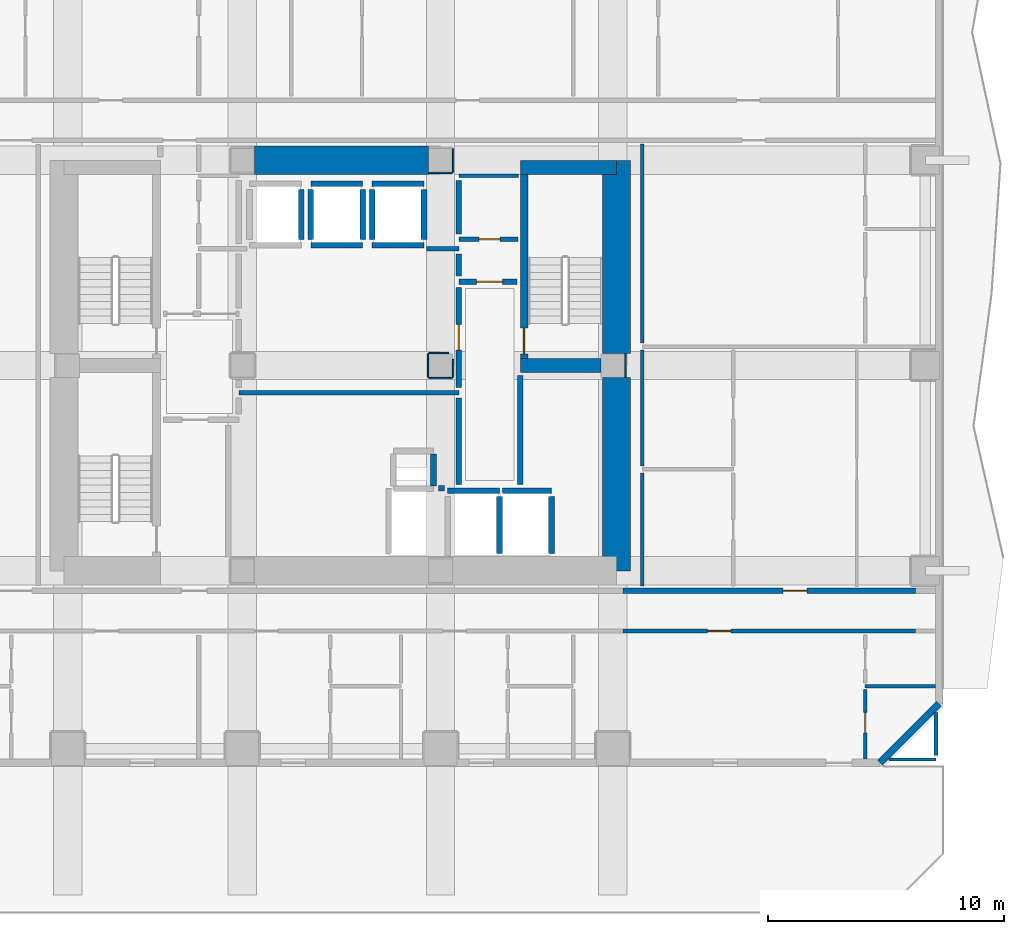
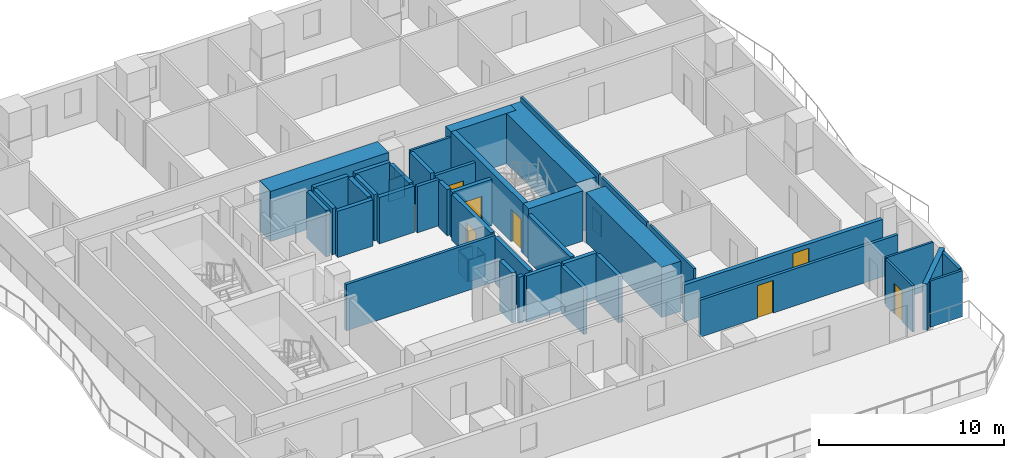
# One storey, part 4 of 11: 48 walls, 7 doors, 7 openings.
"""IFC4 building model written with IfcOpenShell, lengths in metres."""

from ifc_helpers import new_model, si_unit, direction, frame, frame_2d, origin, place, context, subcontext, project, spatial, rectangle, extrude, material, layer, layer_set, type_object, element, fill, save


model = new_model("IFC4")

# Units and contexts
model_context = context("Model", 3, precision=1e-05, world=origin(), true_north=direction((0.0, 1.0)))
body_context = subcontext(model_context, "Body", "Model", "MODEL_VIEW")
ifc_project = project(units=[si_unit("LENGTHUNIT", "METRE"), si_unit("AREAUNIT", "SQUARE_METRE"), si_unit("VOLUMEUNIT", "CUBIC_METRE"), si_unit("PLANEANGLEUNIT", "RADIAN"), si_unit("MASSUNIT", "GRAM", prefix="KILO")], contexts=[model_context])

# Site, building, storey
site_placement = place(None, origin())
site = spatial("IfcSite", under=ifc_project, at=site_placement, CompositionType="ELEMENT")
building_placement = place(site_placement, origin())
building = spatial("IfcBuilding", under=site, at=building_placement, Name="Solanera Arch Residences", CompositionType="ELEMENT")
storey_placement = place(building_placement, frame((0.0, 0.0, 61.840087890625)))
storey = spatial("IfcBuildingStorey", under=building, at=storey_placement, Name="L17", CompositionType="ELEMENT", Elevation=61.840087890625)

# Walls
ifc_material_1 = material(Name="Fire-Rated Gypsum Stud Partition", Category="gypsum")
ifc_layer_1 = layer(ifc_material_1, 0.06005859375)
ifc_layer_set_1 = layer_set([ifc_layer_1], Name="Fire-Rated Gypsum Stud Partition")
wall_type_1 = type_object("IfcWallType", Name="Column Acoustic Furring Wall 60", PredefinedType="PARTITIONING", material=ifc_layer_set_1)
wall_1_placement = place(storey_placement, frame((28.7099609375, 38.867919921875, 0.0), z_axis=(0.0, 0.0, 1.0), x_axis=(1.0, 0.0, 0.0)))
element("IfcWall", 1, at=wall_1_placement, inside=storey, type_object=wall_type_1, Name="L17 Column Furring 4S", PredefinedType="PARTITIONING", context=body_context, shape_type="SweptSolid", body=[
    extrude(rectangle(XDim=0.989990234375, YDim=0.06005859375, at=frame_2d((0.4951171875, 0.0))), origin(), (0.0, 0.0, 1.0), 1.449951171875),
])
wall_2_placement = place(storey_placement, frame((29.73193359375, 38.89990234375, 0.0), z_axis=(0.0, 0.0, 1.0), x_axis=(0.0, 1.0, 0.0)))
element("IfcWall", 2, at=wall_2_placement, inside=storey, type_object=wall_type_1, Name="L17 Column Furring 4E", PredefinedType="PARTITIONING", context=body_context, shape_type="SweptSolid", body=[
    extrude(rectangle(XDim=1.0, YDim=0.06005859375, at=frame_2d((0.5, 0.0))), origin(), (0.0, 0.0, 1.0), 1.449951171875),
])
wall_3_placement = place(storey_placement, frame((37.031982421875, 30.2099609375, 0.0), z_axis=(0.0, 0.0, 1.0), x_axis=(0.0, 1.0, 0.0)))
element("IfcWall", 3, at=wall_3_placement, inside=storey, type_object=wall_type_1, Name="L17 Column Furring 6E", PredefinedType="PARTITIONING", context=body_context, shape_type="SweptSolid", body=[
    extrude(rectangle(XDim=0.97998046875, YDim=0.06005859375, at=frame_2d((0.489990234375, 0.0))), origin(), (0.0, 0.0, 1.0), 1.449951171875),
])
wall_4_placement = place(storey_placement, frame((28.699951171875, 30.16796875, 0.0), z_axis=(0.0, 0.0, 1.0), x_axis=(1.0, 0.0, 0.0)))
element("IfcWall", 4, at=wall_4_placement, inside=storey, type_object=wall_type_1, Name="L17 Column Furring 8S", PredefinedType="PARTITIONING", context=body_context, shape_type="SweptSolid", body=[
    extrude(rectangle(XDim=1.0, YDim=0.06005859375, at=frame_2d((0.5, 0.0))), origin(), (0.0, 0.0, 1.0), 1.449951171875),
])
wall_5_placement = place(storey_placement, frame((28.699951171875, 31.23193359375, 0.0), z_axis=(0.0, 0.0, 1.0), x_axis=(1.0, 0.0, 0.0)))
element("IfcWall", 5, at=wall_5_placement, inside=storey, type_object=wall_type_1, Name="L17 Column Furring 8N", PredefinedType="PARTITIONING", context=body_context, shape_type="SweptSolid", body=[
    extrude(rectangle(XDim=0.841064453125, YDim=0.06005859375, at=frame_2d((0.42041015625, 0.0))), origin(), (0.0, 0.0, 1.0), 1.449951171875),
])
wall_6_placement = place(storey_placement, frame((28.66796875, 30.199951171875, 0.0), z_axis=(0.0, 0.0, 1.0), x_axis=(0.0, 1.0, 0.0)))
element("IfcWall", 6, at=wall_6_placement, inside=storey, type_object=wall_type_1, Name="L17 Column Furring 8W", PredefinedType="PARTITIONING", context=body_context, shape_type="SweptSolid", body=[
    extrude(rectangle(XDim=1.0, YDim=0.06005859375, at=frame_2d((0.5, 0.0))), origin(), (0.0, 0.0, 1.0), 1.449951171875),
])
wall_7_placement = place(storey_placement, frame((29.73193359375, 30.199951171875, 0.0), z_axis=(0.0, 0.0, 1.0), x_axis=(0.0, 1.0, 0.0)))
element("IfcWall", 7, at=wall_7_placement, inside=storey, type_object=wall_type_1, Name="L17 Column Furring 8E", PredefinedType="PARTITIONING", context=body_context, shape_type="SweptSolid", body=[
    extrude(rectangle(XDim=0.77197265625, YDim=0.06005859375, at=frame_2d((0.385986328125, 0.0))), origin(), (0.0, 0.0, 1.0), 1.449951171875),
])
ifc_material_2 = material(Name="Concrete C55/67 (f'c = 60 MPa)", Category="concrete")
ifc_layer_2 = layer(ifc_material_2, 1.199951171875)
ifc_layer_set_2 = layer_set([ifc_layer_2], Name="Concrete C55/67 (f'c = 60 MPa)")
wall_type_2 = type_object("IfcWallType", Name="Core Shear Wall CW-1200", PredefinedType="SHEAR", material=ifc_layer_set_2)
wall_8_placement = place(storey_placement, frame((36.659912109375, 22.0, 0.0), z_axis=(0.0, 0.0, 1.0), x_axis=(0.0, 1.0, 0.0)))
element("IfcWall", 8, at=wall_8_placement, inside=storey, type_object=wall_type_2, Name="L17 East Core South Shear Wall", PredefinedType="SHEAR", context=body_context, shape_type="SweptSolid", body=[
    extrude(rectangle(XDim=8.195068359375, YDim=1.199951171875, at=frame_2d((4.09765625, 0.0))), origin(), (0.0, 0.0, 1.0), 3.31982421875),
])
wall_9_placement = place(storey_placement, frame((36.659912109375, 31.205078125, 0.0), z_axis=(0.0, 0.0, 1.0), x_axis=(0.0, 1.0, 0.0)))
element("IfcWall", 9, at=wall_9_placement, inside=storey, type_object=wall_type_2, Name="L17 East Core North Shear Wall", PredefinedType="SHEAR", context=body_context, shape_type="SweptSolid", body=[
    extrude(rectangle(XDim=8.19482421875, YDim=1.199951171875, at=frame_2d((4.097412109375, 0.0))), origin(), (0.0, 0.0, 1.0), 3.31982421875),
])
wall_10_placement = place(storey_placement, frame((21.304931640625, 39.39990234375, 0.0), z_axis=(0.0, 0.0, 1.0), x_axis=(1.0, 0.0, 0.0)))
element("IfcWall", 10, at=wall_10_placement, inside=storey, type_object=wall_type_2, Name="L17 Central North Core Shear Wall", PredefinedType="SHEAR", context=body_context, shape_type="SweptSolid", body=[
    extrude(rectangle(XDim=7.39013671875, YDim=1.199951171875, at=frame_2d((3.695068359375, 0.0))), origin(), (0.0, 0.0, 1.0), 3.31982421875),
])

# Wall, opening, door
ifc_material_3 = material(Name="Concrete C40/50 (f'c = 45 MPa)", Category="concrete")
ifc_layer_3 = layer(ifc_material_3, 0.320068359375)
ifc_layer_set_3 = layer_set([ifc_layer_3], Name="Concrete C40/50 (f'c = 45 MPa)")
wall_type_3 = type_object("IfcWallType", Name="Core Shear Wall CW-320", PredefinedType="SHEAR", material=ifc_layer_set_3)
wall_11_placement = place(storey_placement, frame((32.739990234375, 31.0, 0.0), z_axis=(0.0, 0.0, 1.0), x_axis=(0.0, 1.0, 0.0)))
wall_11 = element("IfcWall", 11, at=wall_11_placement, inside=storey, type_object=wall_type_3, Name="L17 Stair ST-T2 West Shear Wall", PredefinedType="SHEAR", context=body_context, shape_type="SweptSolid", body=[
    extrude(rectangle(XDim=7.800048828125, YDim=0.320068359375, at=frame_2d((3.89990234375, 0.0))), origin(), (0.0, 0.0, 1.0), 3.31982421875),
])
opening_1_placement = place(wall_11_placement, frame((0.18994140625, 0.0, 0.0)))
opening_1 = element("IfcOpeningElement", 12, at=opening_1_placement, cuts=wall_11, Name="Opening DF-01", PredefinedType="OPENING", context=body_context, shape_type="SweptSolid", body=[
    extrude(rectangle(XDim=1.10009765625, YDim=2.14990234375, at=frame_2d((0.550048828125, 1.074951171875))), frame((0.0, 0.169921875, 0.0), z_axis=(0.0, -1.0, 0.0), x_axis=(1.0, 0.0, 0.0)), (0.0, 0.0, 1.0), 0.3401),
])
ifc_material_4 = material(Name="Fire-Rated Architectural Hardwood", Category="wood")
door_type_1 = type_object("IfcDoorType", Name="Stair Exit Fire Door DF-01", OperationType="NOTDEFINED", PredefinedType="DOOR", material=ifc_material_4)
door_1_placement = place(opening_1_placement, origin())
door_1 = element("IfcDoor", 13, at=door_1_placement, inside=storey, type_object=door_type_1, Name="DR-L17-STAIR-ST-T2", OperationType="SINGLE_SWING_RIGHT", OverallHeight=2.14990234375, OverallWidth=1.10009765625, PredefinedType="DOOR", context=body_context, shape_type="SweptSolid", body=[
    extrude(rectangle(XDim=1.10009765625, YDim=2.14990234375, at=frame_2d((0.550048828125, 1.074951171875))), frame((0.0, 0.02490234375, 0.0), z_axis=(0.0, -1.0, 0.0), x_axis=(1.0, 0.0, 0.0)), (0.0, 0.0, 1.0), 0.050048828125),
])
fill(opening_1, door_1)

# Walls
ifc_material_5 = material(Name="Concrete C40/50 (f'c = 45 MPa)", Category="concrete")
ifc_layer_4 = layer(ifc_material_5, 0.60009765625)
ifc_layer_set_4 = layer_set([ifc_layer_4], Name="Concrete C40/50 (f'c = 45 MPa)")
wall_type_4 = type_object("IfcWallType", Name="Core Shear Wall CW-600", PredefinedType="SHEAR", material=ifc_layer_set_4)
wall_12_placement = place(storey_placement, frame((32.580078125, 39.10009765625, 0.0), z_axis=(0.0, 0.0, 1.0), x_axis=(1.0, 0.0, 0.0)))
element("IfcWall", 14, at=wall_12_placement, inside=storey, type_object=wall_type_4, Name="L17 North-East Core Shear Wall", PredefinedType="SHEAR", context=body_context, shape_type="SweptSolid", body=[
    extrude(rectangle(XDim=4.079833984375, YDim=0.60009765625, at=frame_2d((2.0400390625, 0.0))), origin(), (0.0, 0.0, 1.0), 3.31982421875),
])
wall_13_placement = place(storey_placement, frame((32.580078125, 30.699951171875, 0.0), z_axis=(0.0, 0.0, 1.0), x_axis=(1.0, 0.0, 0.0)))
element("IfcWall", 15, at=wall_13_placement, inside=storey, type_object=wall_type_4, Name="L17 East Stair Far-Landing Shear Wall", PredefinedType="SHEAR", context=body_context, shape_type="SweptSolid", body=[
    extrude(rectangle(XDim=3.4150390625, YDim=0.60009765625, at=frame_2d((1.70751953125, 0.0))), origin(), (0.0, 0.0, 1.0), 3.31982421875),
])

# Wall, opening, door
ifc_material_6 = material(Name="Autoclaved Aerated Concrete Blockwork", Category="masonry")
ifc_layer_5 = layer(ifc_material_6, 0.179931640625)
ifc_layer_set_5 = layer_set([ifc_layer_5], Name="Autoclaved Aerated Concrete Blockwork")
wall_type_5 = type_object("IfcWallType", Name="Corridor Fire Partition 180", PredefinedType="PARTITIONING", material=ifc_layer_set_5)
wall_14_placement = place(storey_placement, frame((36.928955078125, 19.449951171875, 0.0), z_axis=(0.0, 0.0, 1.0), x_axis=(1.0, 0.0, 0.0)))
wall_14 = element("IfcWall", 16, at=wall_14_placement, inside=storey, type_object=wall_type_5, Name="L17 Interior Partition H7 2", PredefinedType="PARTITIONING", context=body_context, shape_type="SweptSolid", body=[
    extrude(rectangle(XDim=12.39208984375, YDim=0.179931640625, at=frame_2d((6.196044921875, 0.0))), origin(), (0.0, 0.0, 1.0), 2.44482421875),
])
opening_2_placement = place(wall_14_placement, frame((3.5810546875, 0.0, 0.0)))
opening_2 = element("IfcOpeningElement", 17, at=opening_2_placement, cuts=wall_14, Name="Opening DI-01", PredefinedType="OPENING", context=body_context, shape_type="SweptSolid", body=[
    extrude(rectangle(XDim=1.0, YDim=2.14990234375, at=frame_2d((0.5, 1.074951171875))), frame((0.0, 0.10009765625, 0.0), z_axis=(0.0, -1.0, 0.0), x_axis=(1.0, 0.0, 0.0)), (0.0, 0.0, 1.0), 0.1999),
])
ifc_material_7 = material(Name="Fire-Rated Architectural Hardwood", Category="wood")
door_type_2 = type_object("IfcDoorType", Name="Unit Entrance Fire Door DI-01", OperationType="NOTDEFINED", PredefinedType="DOOR", material=ifc_material_7)
door_2_placement = place(opening_2_placement, origin())
door_2 = element("IfcDoor", 18, at=door_2_placement, inside=storey, type_object=door_type_2, Name="DR-L17-IN-024", OperationType="SINGLE_SWING_RIGHT", OverallHeight=2.14990234375, OverallWidth=1.0, PredefinedType="DOOR", context=body_context, shape_type="SweptSolid", body=[
    extrude(rectangle(XDim=1.0, YDim=2.14990234375, at=frame_2d((0.5, 1.074951171875))), frame((0.0, 0.02490234375, 0.0), z_axis=(0.0, -1.0, 0.0), x_axis=(1.0, 0.0, 0.0)), (0.0, 0.0, 1.0), 0.050048828125),
])
fill(opening_2, door_2)

# Wall
wall_15_placement = place(storey_placement, frame((20.64990234375, 29.550048828125, 0.0), z_axis=(0.0, 0.0, 1.0), x_axis=(1.0, 0.0, 0.0)))
element("IfcWall", 19, at=wall_15_placement, inside=storey, type_object=wall_type_5, Name="L17 Interior Partition H8", PredefinedType="PARTITIONING", context=body_context, shape_type="SweptSolid", body=[
    extrude(rectangle(XDim=9.3251953125, YDim=0.179931640625, at=frame_2d((4.66259765625, 0.0))), origin(), (0.0, 0.0, 1.0), 3.059814453125),
])

# Wall, opening, door
wall_16_placement = place(storey_placement, frame((29.97509765625, 36.050048828125, 0.0), z_axis=(0.0, 0.0, 1.0), x_axis=(1.0, 0.0, 0.0)))
wall_16 = element("IfcWall", 20, at=wall_16_placement, inside=storey, type_object=wall_type_5, Name="L17 Interior Partition H9", PredefinedType="PARTITIONING", context=body_context, shape_type="SweptSolid", body=[
    extrude(rectangle(XDim=2.5048828125, YDim=0.179931640625, at=frame_2d((1.25244140625, 0.0))), origin(), (0.0, 0.0, 1.0), 3.059814453125),
])
opening_3_placement = place(wall_16_placement, frame((0.85205078125, 0.0, 0.0)))
opening_3 = element("IfcOpeningElement", 21, at=opening_3_placement, cuts=wall_16, Name="Opening DI-02", PredefinedType="OPENING", context=body_context, shape_type="SweptSolid", body=[
    extrude(rectangle(XDim=0.89990234375, YDim=2.10009765625, at=frame_2d((0.449951171875, 1.050048828125))), frame((0.0, 0.10009765625, 0.0), z_axis=(0.0, -1.0, 0.0), x_axis=(1.0, 0.0, 0.0)), (0.0, 0.0, 1.0), 0.1999),
])
ifc_material_8 = material(Name="Fire-Rated Architectural Hardwood", Category="wood")
door_type_3 = type_object("IfcDoorType", Name="Suite Room Swing Door DI-02", OperationType="NOTDEFINED", PredefinedType="DOOR", material=ifc_material_8)
door_3_placement = place(opening_3_placement, origin())
door_3 = element("IfcDoor", 22, at=door_3_placement, inside=storey, type_object=door_type_3, Name="DR-L17-IN-013", OperationType="SINGLE_SWING_LEFT", OverallHeight=2.10009765625, OverallWidth=0.89990234375, PredefinedType="DOOR", context=body_context, shape_type="SweptSolid", body=[
    extrude(rectangle(XDim=0.89990234375, YDim=2.10009765625, at=frame_2d((0.449951171875, 1.050048828125))), frame((0.0, 0.02490234375, 0.0), z_axis=(0.0, -1.0, 0.0), x_axis=(1.0, 0.0, 0.0)), (0.0, 0.0, 1.0), 0.050048828125),
])
fill(opening_3, door_3)

# Walls
wall_17_placement = place(storey_placement, frame((50.199951171875, 14.16796875, 0.0), z_axis=(0.0, 0.0, 1.0), x_axis=(0.0, 1.0, 0.0)))
element("IfcWall", 23, at=wall_17_placement, inside=storey, type_object=wall_type_5, Name="L17 Interior Partition V11 1", PredefinedType="PARTITIONING", context=body_context, shape_type="SweptSolid", body=[
    extrude(rectangle(XDim=1.8330078125, YDim=0.179931640625, at=frame_2d((0.91650390625, 0.0))), origin(), (0.0, 0.0, 1.0), 3.059814453125),
])
ifc_material_9 = material(Name="Precast Concrete C35/45", Category="concrete")
ifc_layer_6 = layer(ifc_material_9, 0.300048828125)
ifc_layer_set_6 = layer_set([ifc_layer_6], Name="Precast Concrete C35/45")
wall_type_6 = type_object("IfcWallType", Name="Exterior Wall Precast Masonry-Frame 300", PredefinedType="STANDARD", material=ifc_layer_set_6)
wall_18_placement = place(storey_placement, frame((50.3349609375, 16.364990234375, 0.0), z_axis=(0.0, 0.0, 1.0), x_axis=(-0.707106781187, -0.707106781187, 0.0)))
element("IfcWall", 24, at=wall_18_placement, inside=storey, type_object=wall_type_6, Name="L17 Tower Exterior Precast Masonry-Frame Wall CH5", PredefinedType="STANDARD", context=body_context, shape_type="SweptSolid", body=[
    extrude(rectangle(XDim=3.53564453125, YDim=0.300048828125, at=frame_2d((1.767822265625, 0.0))), origin(), (0.0, 0.0, 1.0), 3.059814453125),
])
ifc_material_10 = material(Name="Autoclaved Aerated Concrete Blockwork", Category="masonry")
ifc_layer_7 = layer(ifc_material_10, 0.199951171875)
ifc_layer_set_7 = layer_set([ifc_layer_7], Name="Autoclaved Aerated Concrete Blockwork")
wall_type_7 = type_object("IfcWallType", Name="Party Wall Acoustic 200", PredefinedType="PARTITIONING", material=ifc_layer_set_7)
wall_19_placement = place(storey_placement, frame((28.60400390625, 35.64990234375, 0.0), z_axis=(0.0, 0.0, 1.0), x_axis=(1.0, 0.0, 0.0)))
element("IfcWall", 25, at=wall_19_placement, inside=storey, type_object=wall_type_7, Name="L17 Interior Partition H6 2", PredefinedType="PARTITIONING", context=body_context, shape_type="SweptSolid", body=[
    extrude(rectangle(XDim=1.37109375, YDim=0.199951171875, at=frame_2d((0.685546875, 0.0))), origin(), (0.0, 0.0, 1.0), 3.059814453125),
])
ifc_material_11 = material(Name="Concrete C40/50 (f'c = 45 MPa)", Category="concrete")
ifc_layer_8 = layer(ifc_material_11, 0.239990234375)
ifc_layer_set_8 = layer_set([ifc_layer_8], Name="Concrete C40/50 (f'c = 45 MPa)")
wall_type_8 = type_object("IfcWallType", Name="Ramp Bearing Shear Wall RW-240", PredefinedType="SHEAR", material=ifc_layer_set_8)
wall_20_placement = place(storey_placement, frame((28.89990234375, 25.60009765625, 0.0), z_axis=(0.0, 0.0, 1.0), x_axis=(0.0, 1.0, 0.0)))
element("IfcWall", 26, at=wall_20_placement, inside=storey, type_object=wall_type_8, Name="L17 Core MEP Riser East Shaft Wall", PredefinedType="SHEAR", context=body_context, shape_type="SweptSolid", body=[
    extrude(rectangle(XDim=1.35986328125, YDim=0.239990234375, at=frame_2d((0.679931640625, 0.0))), origin(), (0.0, 0.0, 1.0), 3.31982421875),
])
ifc_material_12 = material(Name="Autoclaved Aerated Concrete Blockwork", Category="masonry")
ifc_layer_9 = layer(ifc_material_12, 0.239990234375)
ifc_layer_set_9 = layer_set([ifc_layer_9], Name="Autoclaved Aerated Concrete Blockwork")
wall_type_9 = type_object("IfcWallType", Name="Shaft Wall Fire-Rated 240", PredefinedType="PARTITIONING", material=ifc_layer_set_9)
wall_21_placement = place(storey_placement, frame((23.300048828125, 36.048095703125, 0.0), z_axis=(0.0, 0.0, 1.0), x_axis=(0.0, 1.0, 0.0)))
element("IfcWall", 27, at=wall_21_placement, inside=storey, type_object=wall_type_9, Name="L17 Lift PL-L1 Hoistway Wall E", PredefinedType="PARTITIONING", context=body_context, shape_type="SweptSolid", body=[
    extrude(rectangle(XDim=2.10400390625, YDim=0.239990234375, at=frame_2d((1.052001953125, 0.0))), origin(), (0.0, 0.0, 1.0), 3.059814453125),
])
for number, where, z_axis, x_axis, name in (
    (28, (23.699951171875, 35.800048828125, 0.0), (0.0, 0.0, 1.0), (1.0, 0.0, 0.0), "L17 Lift PL-L2 Hoistway Wall S"),
    (29, (23.699951171875, 38.39990234375, 0.0), (0.0, 0.0, 1.0), (1.0, 0.0, 0.0), "L17 Lift PL-L2 Hoistway Wall N"),
):
    element("IfcWall", number, at=place(storey_placement, frame(where, z_axis=z_axis, x_axis=x_axis)), inside=storey, type_object=wall_type_9, Name=name, PredefinedType="PARTITIONING", context=body_context, shape_type="SweptSolid", body=[
        extrude(rectangle(XDim=2.199951171875, YDim=0.239990234375, at=frame_2d((1.10009765625, 0.0))), origin(), (0.0, 0.0, 1.0), 3.059814453125),
    ])
for number, where, z_axis, x_axis, name in (
    (30, (23.699951171875, 36.048095703125, 0.0), (0.0, 0.0, 1.0), (0.0, 1.0, 0.0), "L17 Lift PL-L2 Hoistway Wall W"),
    (31, (25.89990234375, 36.048095703125, 0.0), (0.0, 0.0, 1.0), (0.0, 1.0, 0.0), "L17 Lift PL-L2 Hoistway Wall E"),
):
    element("IfcWall", number, at=place(storey_placement, frame(where, z_axis=z_axis, x_axis=x_axis)), inside=storey, type_object=wall_type_9, Name=name, PredefinedType="PARTITIONING", context=body_context, shape_type="SweptSolid", body=[
        extrude(rectangle(XDim=2.10400390625, YDim=0.239990234375, at=frame_2d((1.052001953125, 0.0))), origin(), (0.0, 0.0, 1.0), 3.059814453125),
    ])
for number, where, z_axis, x_axis, name in (
    (32, (26.300048828125, 35.800048828125, 0.0), (0.0, 0.0, 1.0), (1.0, 0.0, 0.0), "L17 Lift PL-L3 Hoistway Wall S"),
    (33, (26.300048828125, 38.39990234375, 0.0), (0.0, 0.0, 1.0), (1.0, 0.0, 0.0), "L17 Lift PL-L3 Hoistway Wall N"),
):
    element("IfcWall", number, at=place(storey_placement, frame(where, z_axis=z_axis, x_axis=x_axis)), inside=storey, type_object=wall_type_9, Name=name, PredefinedType="PARTITIONING", context=body_context, shape_type="SweptSolid", body=[
        extrude(rectangle(XDim=2.199951171875, YDim=0.239990234375, at=frame_2d((1.10009765625, 0.0))), origin(), (0.0, 0.0, 1.0), 3.059814453125),
    ])
for number, where, z_axis, x_axis, name in (
    (34, (26.300048828125, 36.048095703125, 0.0), (0.0, 0.0, 1.0), (0.0, 1.0, 0.0), "L17 Lift PL-L3 Hoistway Wall W"),
    (35, (28.5, 36.048095703125, 0.0), (0.0, 0.0, 1.0), (0.0, 1.0, 0.0), "L17 Lift PL-L3 Hoistway Wall E"),
):
    element("IfcWall", number, at=place(storey_placement, frame(where, z_axis=z_axis, x_axis=x_axis)), inside=storey, type_object=wall_type_9, Name=name, PredefinedType="PARTITIONING", context=body_context, shape_type="SweptSolid", body=[
        extrude(rectangle(XDim=2.10400390625, YDim=0.239990234375, at=frame_2d((1.052001953125, 0.0))), origin(), (0.0, 0.0, 1.0), 3.059814453125),
    ])
wall_22_placement = place(storey_placement, frame((29.5, 25.39990234375, 0.0), z_axis=(0.0, 0.0, 1.0), x_axis=(1.0, 0.0, 0.0)))
element("IfcWall", 36, at=wall_22_placement, inside=storey, type_object=wall_type_9, Name="L17 Lift FFL-1 Hoistway Wall N", PredefinedType="PARTITIONING", context=body_context, shape_type="SweptSolid", body=[
    extrude(rectangle(XDim=2.199951171875, YDim=0.239990234375, at=frame_2d((1.10009765625, 0.0))), origin(), (0.0, 0.0, 1.0), 3.059814453125),
])
wall_23_placement = place(storey_placement, frame((31.699951171875, 22.72998046875, 0.0), z_axis=(0.0, 0.0, 1.0), x_axis=(0.0, 1.0, 0.0)))
element("IfcWall", 37, at=wall_23_placement, inside=storey, type_object=wall_type_9, Name="L17 Lift FFL-1 Hoistway Wall E", PredefinedType="PARTITIONING", context=body_context, shape_type="SweptSolid", body=[
    extrude(rectangle(XDim=2.422119140625, YDim=0.239990234375, at=frame_2d((1.2109375, 0.0))), origin(), (0.0, 0.0, 1.0), 3.059814453125),
])
wall_24_placement = place(storey_placement, frame((31.827880859375, 25.39990234375, 0.0), z_axis=(0.0, 0.0, 1.0), x_axis=(1.0, 0.0, 0.0)))
element("IfcWall", 38, at=wall_24_placement, inside=storey, type_object=wall_type_9, Name="L17 Lift FFL-2 Hoistway Wall N", PredefinedType="PARTITIONING", context=body_context, shape_type="SweptSolid", body=[
    extrude(rectangle(XDim=2.072021484375, YDim=0.239990234375, at=frame_2d((1.0361328125, 0.0))), origin(), (0.0, 0.0, 1.0), 3.059814453125),
])
wall_25_placement = place(storey_placement, frame((33.89990234375, 22.72998046875, 0.0), z_axis=(0.0, 0.0, 1.0), x_axis=(0.0, 1.0, 0.0)))
element("IfcWall", 39, at=wall_25_placement, inside=storey, type_object=wall_type_9, Name="L17 Lift FFL-2 Hoistway Wall E", PredefinedType="PARTITIONING", context=body_context, shape_type="SweptSolid", body=[
    extrude(rectangle(XDim=2.422119140625, YDim=0.239990234375, at=frame_2d((1.2109375, 0.0))), origin(), (0.0, 0.0, 1.0), 3.059814453125),
])
wall_26_placement = place(storey_placement, frame((29.10302734375, 25.5, 0.0), z_axis=(0.0, 0.0, 1.0), x_axis=(1.0, 0.0, 0.0)))
element("IfcWall", 40, at=wall_26_placement, inside=storey, type_object=wall_type_9, Name="L17 Lift SVL-1 Hoistway Wall N", PredefinedType="PARTITIONING", context=body_context, shape_type="SweptSolid", body=[
    extrude(rectangle(XDim=0.26904296875, YDim=0.239990234375, at=frame_2d((0.134521484375, 0.0))), origin(), (0.0, 0.0, 1.0), 3.059814453125),
])

# Wall, opening, door
wall_27_placement = place(storey_placement, frame((36.928955078125, 21.14990234375, 0.0), z_axis=(0.0, 0.0, 1.0), x_axis=(1.0, 0.0, 0.0)))
wall_27 = element("IfcWall", 41, at=wall_27_placement, inside=storey, type_object=wall_type_9, Name="L17 Interior Partition H1 2", PredefinedType="PARTITIONING", context=body_context, shape_type="SweptSolid", body=[
    extrude(rectangle(XDim=12.39208984375, YDim=0.239990234375, at=frame_2d((6.196044921875, 0.0))), origin(), (0.0, 0.0, 1.0), 2.44482421875),
])
opening_4_placement = place(wall_27_placement, frame((6.794921875, 0.0, 0.0)))
opening_4 = element("IfcOpeningElement", 42, at=opening_4_placement, cuts=wall_27, Name="Opening DI-01", PredefinedType="OPENING", context=body_context, shape_type="SweptSolid", body=[
    extrude(rectangle(XDim=1.0, YDim=2.14990234375, at=frame_2d((0.5, 1.074951171875))), frame((0.0, 0.1298828125, 0.0), z_axis=(0.0, -1.0, 0.0), x_axis=(1.0, 0.0, 0.0)), (0.0, 0.0, 1.0), 0.26),
])
door_4_placement = place(opening_4_placement, origin())
door_4 = element("IfcDoor", 43, at=door_4_placement, inside=storey, type_object=door_type_2, Name="DR-L17-IN-042", OperationType="SINGLE_SWING_RIGHT", OverallHeight=2.14990234375, OverallWidth=1.0, PredefinedType="DOOR", context=body_context, shape_type="SweptSolid", body=[
    extrude(rectangle(XDim=1.0, YDim=2.14990234375, at=frame_2d((0.5, 1.074951171875))), frame((0.0, 0.02490234375, 0.0), z_axis=(0.0, -1.0, 0.0), x_axis=(1.0, 0.0, 0.0)), (0.0, 0.0, 1.0), 0.050048828125),
])
fill(opening_4, door_4)

wall_28_placement = place(storey_placement, frame((29.97509765625, 34.25, 0.0), z_axis=(0.0, 0.0, 1.0), x_axis=(1.0, 0.0, 0.0)))
wall_28 = element("IfcWall", 44, at=wall_28_placement, inside=storey, type_object=wall_type_9, Name="L17 Interior Partition H5", PredefinedType="PARTITIONING", context=body_context, shape_type="SweptSolid", body=[
    extrude(rectangle(XDim=2.474853515625, YDim=0.239990234375, at=frame_2d((1.2373046875, 0.0))), origin(), (0.0, 0.0, 1.0), 3.059814453125),
])
opening_5_placement = place(wall_28_placement, frame((0.751953125, 0.0, 0.0)))
opening_5 = element("IfcOpeningElement", 45, at=opening_5_placement, cuts=wall_28, Name="Opening DF-02", PredefinedType="OPENING", context=body_context, shape_type="SweptSolid", body=[
    extrude(rectangle(XDim=1.10009765625, YDim=2.14990234375, at=frame_2d((0.550048828125, 1.074951171875))), frame((0.0, 0.1298828125, 0.0), z_axis=(0.0, -1.0, 0.0), x_axis=(1.0, 0.0, 0.0)), (0.0, 0.0, 1.0), 0.26),
])
ifc_material_13 = material(Name="Fire-Rated Architectural Hardwood", Category="wood")
door_type_4 = type_object("IfcDoorType", Name="Firefighting Lobby Fire Door DF-02", OperationType="NOTDEFINED", PredefinedType="DOOR", material=ifc_material_13)
door_5_placement = place(opening_5_placement, origin())
door_5 = element("IfcDoor", 46, at=door_5_placement, inside=storey, type_object=door_type_4, Name="DR-L17-IN-007", OperationType="SINGLE_SWING_LEFT", OverallHeight=2.14990234375, OverallWidth=1.10009765625, PredefinedType="DOOR", context=body_context, shape_type="SweptSolid", body=[
    extrude(rectangle(XDim=1.10009765625, YDim=2.14990234375, at=frame_2d((0.550048828125, 1.074951171875))), frame((0.0, 0.02490234375, 0.0), z_axis=(0.0, -1.0, 0.0), x_axis=(1.0, 0.0, 0.0)), (0.0, 0.0, 1.0), 0.050048828125),
])
fill(opening_5, door_5)

# Wall
wall_29_placement = place(storey_placement, frame((29.97509765625, 25.64794921875, 0.0), z_axis=(0.0, 0.0, 1.0), x_axis=(0.0, 1.0, 0.0)))
element("IfcWall", 47, at=wall_29_placement, inside=storey, type_object=wall_type_9, Name="L17 Interior Partition V4 1", PredefinedType="PARTITIONING", context=body_context, shape_type="SweptSolid", body=[
    extrude(rectangle(XDim=3.68408203125, YDim=0.239990234375, at=frame_2d((1.842041015625, 0.0))), origin(), (0.0, 0.0, 1.0), 3.059814453125),
])

# Wall, opening, door
wall_30_placement = place(storey_placement, frame((29.97509765625, 29.76806640625, 0.0), z_axis=(0.0, 0.0, 1.0), x_axis=(0.0, 1.0, 0.0)))
wall_30 = element("IfcWall", 48, at=wall_30_placement, inside=storey, type_object=wall_type_9, Name="L17 Interior Partition V4 2", PredefinedType="PARTITIONING", context=body_context, shape_type="SweptSolid", body=[
    extrude(rectangle(XDim=4.23388671875, YDim=0.239990234375, at=frame_2d((2.116943359375, 0.0))), origin(), (0.0, 0.0, 1.0), 3.059814453125),
])
opening_6_placement = place(wall_30_placement, frame((1.58203125, 0.0, 0.0)))
opening_6 = element("IfcOpeningElement", 49, at=opening_6_placement, cuts=wall_30, Name="Opening DF-02", PredefinedType="OPENING", context=body_context, shape_type="SweptSolid", body=[
    extrude(rectangle(XDim=1.10009765625, YDim=2.14990234375, at=frame_2d((0.550048828125, 1.074951171875))), frame((0.0, 0.1298828125, 0.0), z_axis=(0.0, -1.0, 0.0), x_axis=(1.0, 0.0, 0.0)), (0.0, 0.0, 1.0), 0.26),
])
door_6_placement = place(opening_6_placement, origin())
door_6 = element("IfcDoor", 50, at=door_6_placement, inside=storey, type_object=door_type_4, Name="DR-L17-IN-006", OperationType="SINGLE_SWING_RIGHT", OverallHeight=2.14990234375, OverallWidth=1.10009765625, PredefinedType="DOOR", context=body_context, shape_type="SweptSolid", body=[
    extrude(rectangle(XDim=1.10009765625, YDim=2.14990234375, at=frame_2d((0.550048828125, 1.074951171875))), frame((0.0, 0.02490234375, 0.0), z_axis=(0.0, -1.0, 0.0), x_axis=(1.0, 0.0, 0.0)), (0.0, 0.0, 1.0), 0.050048828125),
])
fill(opening_6, door_6)

# Walls
wall_31_placement = place(storey_placement, frame((29.97509765625, 34.498046875, 0.0), z_axis=(0.0, 0.0, 1.0), x_axis=(0.0, 1.0, 0.0)))
element("IfcWall", 51, at=wall_31_placement, inside=storey, type_object=wall_type_9, Name="L17 Interior Partition V4 3", PredefinedType="PARTITIONING", context=body_context, shape_type="SweptSolid", body=[
    extrude(rectangle(XDim=0.924072265625, YDim=0.239990234375, at=frame_2d((0.4619140625, 0.0))), origin(), (0.0, 0.0, 1.0), 3.059814453125),
])
wall_32_placement = place(storey_placement, frame((29.97509765625, 36.26806640625, 0.0), z_axis=(0.0, 0.0, 1.0), x_axis=(0.0, 1.0, 0.0)))
element("IfcWall", 52, at=wall_32_placement, inside=storey, type_object=wall_type_9, Name="L17 Interior Partition V4 4", PredefinedType="PARTITIONING", context=body_context, shape_type="SweptSolid", body=[
    extrude(rectangle(XDim=2.283935546875, YDim=0.239990234375, at=frame_2d((1.14208984375, 0.0))), origin(), (0.0, 0.0, 1.0), 3.059814453125),
])
wall_33_placement = place(storey_placement, frame((32.580078125, 25.64794921875, 0.0), z_axis=(0.0, 0.0, 1.0), x_axis=(0.0, 1.0, 0.0)))
element("IfcWall", 53, at=wall_33_placement, inside=storey, type_object=wall_type_9, Name="L17 Interior Partition V5", PredefinedType="PARTITIONING", context=body_context, shape_type="SweptSolid", body=[
    extrude(rectangle(XDim=4.6220703125, YDim=0.239990234375, at=frame_2d((2.31103515625, 0.0))), origin(), (0.0, 0.0, 1.0), 3.059814453125),
])
ifc_material_14 = material(Name="Autoclaved Aerated Concrete Blockwork", Category="masonry")
ifc_layer_10 = layer(ifc_material_14, 0.139892578125)
ifc_layer_set_10 = layer_set([ifc_layer_10], Name="Autoclaved Aerated Concrete Blockwork")
wall_type_10 = type_object("IfcWallType", Name="Wet-Room Partition 140", PredefinedType="PARTITIONING", material=ifc_layer_set_10)
wall_34_placement = place(storey_placement, frame((48.198974609375, 14.0, 0.0), z_axis=(0.0, 0.0, 1.0), x_axis=(1.0, 0.0, 0.0)))
element("IfcWall", 54, at=wall_34_placement, inside=storey, type_object=wall_type_10, Name="L17 Interior Partition H12 2", PredefinedType="PARTITIONING", context=body_context, shape_type="SweptSolid", body=[
    extrude(rectangle(XDim=2.0009765625, YDim=0.139892578125, at=frame_2d((1.00048828125, 0.0))), origin(), (0.0, 0.0, 1.0), 3.059814453125),
])
wall_35_placement = place(storey_placement, frame((47.199951171875, 17.10693359375, 0.0), z_axis=(0.0, 0.0, 1.0), x_axis=(1.0, 0.0, 0.0)))
element("IfcWall", 55, at=wall_35_placement, inside=storey, type_object=wall_type_10, Name="L17 Interior Partition H16", PredefinedType="PARTITIONING", context=body_context, shape_type="SweptSolid", body=[
    extrude(rectangle(XDim=2.97314453125, YDim=0.139892578125, at=frame_2d((1.486572265625, 0.0))), origin(), (0.0, 0.0, 1.0), 3.059814453125),
])
wall_36_placement = place(storey_placement, frame((29.97509765625, 38.75, 0.0), z_axis=(0.0, 0.0, 1.0), x_axis=(1.0, 0.0, 0.0)))
element("IfcWall", 56, at=wall_36_placement, inside=storey, type_object=wall_type_10, Name="L17 Interior Partition H21", PredefinedType="PARTITIONING", context=body_context, shape_type="SweptSolid", body=[
    extrude(rectangle(XDim=2.52490234375, YDim=0.139892578125, at=frame_2d((1.262451171875, 0.0))), origin(), (0.0, 0.0, 1.0), 3.059814453125),
])
wall_37_placement = place(storey_placement, frame((37.75, 21.347900390625, 0.0), z_axis=(0.0, 0.0, 1.0), x_axis=(0.0, 1.0, 0.0)))
element("IfcWall", 57, at=wall_37_placement, inside=storey, type_object=wall_type_10, Name="L17 Interior Partition V23 1", PredefinedType="PARTITIONING", context=body_context, shape_type="SweptSolid", body=[
    extrude(rectangle(XDim=4.80419921875, YDim=0.139892578125, at=frame_2d((2.402099609375, 0.0))), origin(), (0.0, 0.0, 1.0), 3.059814453125),
])
wall_38_placement = place(storey_placement, frame((37.75, 26.447998046875, 0.0), z_axis=(0.0, 0.0, 1.0), x_axis=(0.0, 1.0, 0.0)))
element("IfcWall", 58, at=wall_38_placement, inside=storey, type_object=wall_type_10, Name="L17 Interior Partition V23 2", PredefinedType="PARTITIONING", context=body_context, shape_type="SweptSolid", body=[
    extrude(rectangle(XDim=4.904052734375, YDim=0.139892578125, at=frame_2d((2.4521484375, 0.0))), origin(), (0.0, 0.0, 1.0), 3.059814453125),
])
wall_39_placement = place(storey_placement, frame((37.75, 31.64794921875, 0.0), z_axis=(0.0, 0.0, 1.0), x_axis=(0.0, 1.0, 0.0)))
element("IfcWall", 59, at=wall_39_placement, inside=storey, type_object=wall_type_10, Name="L17 Interior Partition V23 3", PredefinedType="PARTITIONING", context=body_context, shape_type="SweptSolid", body=[
    extrude(rectangle(XDim=8.43408203125, YDim=0.139892578125, at=frame_2d((4.217041015625, 0.0))), origin(), (0.0, 0.0, 1.0), 3.059814453125),
])

# Wall, opening, door
wall_40_placement = place(storey_placement, frame((47.199951171875, 14.027099609375, 0.0), z_axis=(0.0, 0.0, 1.0), x_axis=(0.0, 1.0, 0.0)))
wall_40 = element("IfcWall", 60, at=wall_40_placement, inside=storey, type_object=wall_type_10, Name="L17 Interior Partition V26 1", PredefinedType="PARTITIONING", context=body_context, shape_type="SweptSolid", body=[
    extrude(rectangle(XDim=2.931884765625, YDim=0.139892578125, at=frame_2d((1.4658203125, 0.0))), origin(), (0.0, 0.0, 1.0), 3.059814453125),
])
opening_7_placement = place(wall_40_placement, frame((1.10888671875, 0.0, 0.0)))
opening_7 = element("IfcOpeningElement", 61, at=opening_7_placement, cuts=wall_40, Name="Opening DI-05", PredefinedType="OPENING", context=body_context, shape_type="SweptSolid", body=[
    extrude(rectangle(XDim=0.860107421875, YDim=2.02001953125, at=frame_2d((0.43017578125, 1.010009765625))), frame((0.0, 0.079833984375, 0.0), z_axis=(0.0, -1.0, 0.0), x_axis=(1.0, 0.0, 0.0)), (0.0, 0.0, 1.0), 0.1599),
])
ifc_material_15 = material(Name="Fire-Rated Architectural Hardwood", Category="wood")
door_type_5 = type_object("IfcDoorType", Name="Bathroom Swing Door DI-05", OperationType="NOTDEFINED", PredefinedType="DOOR", material=ifc_material_15)
door_7_placement = place(opening_7_placement, origin())
door_7 = element("IfcDoor", 62, at=door_7_placement, inside=storey, type_object=door_type_5, Name="DR-L17-IN-026", OperationType="SINGLE_SWING_RIGHT", OverallHeight=2.02001953125, OverallWidth=0.860107421875, PredefinedType="DOOR", context=body_context, shape_type="SweptSolid", body=[
    extrude(rectangle(XDim=0.860107421875, YDim=2.02001953125, at=frame_2d((0.43017578125, 1.010009765625))), frame((0.0, 0.02490234375, 0.0), z_axis=(0.0, -1.0, 0.0), x_axis=(1.0, 0.0, 0.0)), (0.0, 0.0, 1.0), 0.050048828125),
])
fill(opening_7, door_7)

save(model, "model.ifc")
